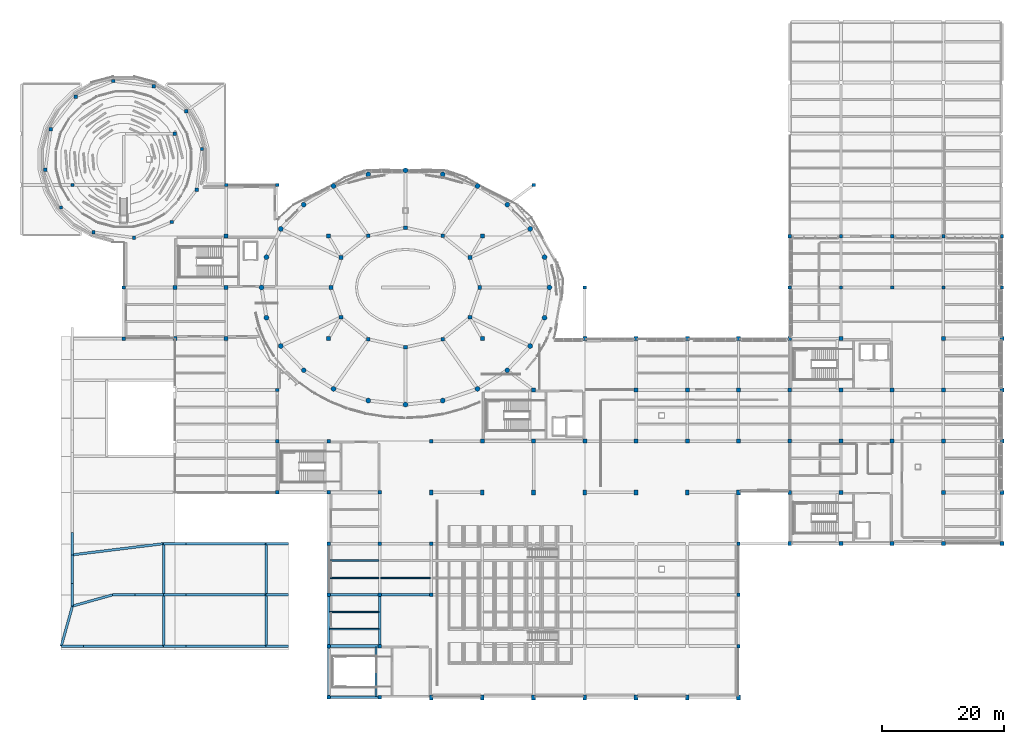
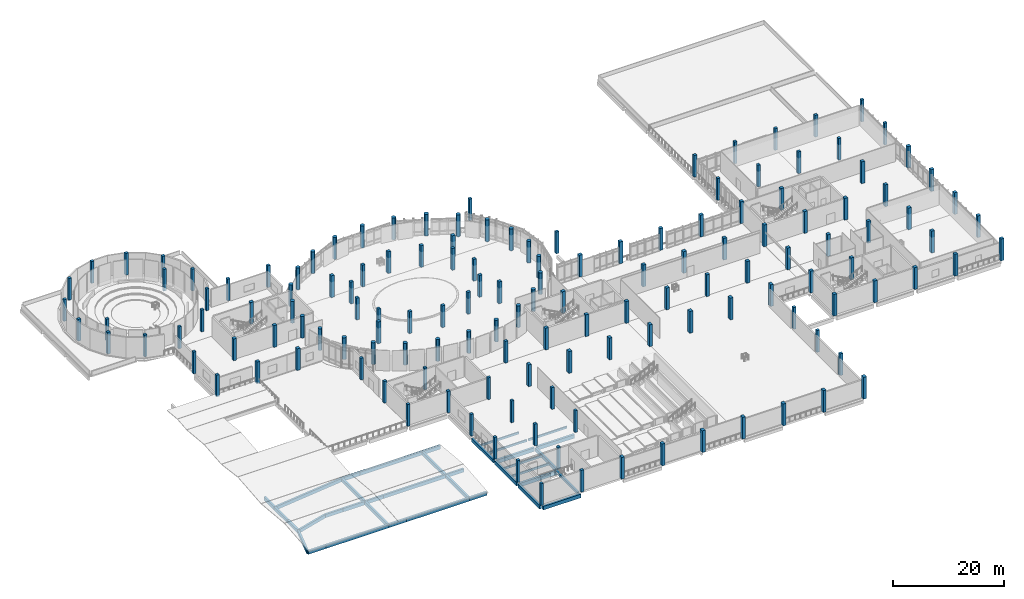
# One storey, part 1 of 63: 146 columns, 37 beams.
"""IFC4 building model written with IfcOpenShell, lengths in metres."""

from ifc_helpers import new_model, si_unit, derived_unit, direction, frame, origin, origin_2d, place, context, subcontext, project, spatial, rectangle, circle, extrude, material, material_profile, profile_set, type_object, element, save


model = new_model("IFC4")

# Units and contexts
model_context = context("Model", 3, precision=1e-05, world=origin(), true_north=direction((0.0, 1.0)))
body_context = subcontext(model_context, "Body", "Model", "MODEL_VIEW")
ifc_project = project(units=[si_unit("LENGTHUNIT", "METRE"), si_unit("AREAUNIT", "SQUARE_METRE"), si_unit("VOLUMEUNIT", "CUBIC_METRE"), si_unit("PLANEANGLEUNIT", "RADIAN"), si_unit("MASSUNIT", "GRAM", prefix="KILO"), derived_unit("THERMALTRANSMITTANCEUNIT", [(si_unit("POWERUNIT", "WATT"), 1), (si_unit("LENGTHUNIT", "METRE"), -2), (si_unit("THERMODYNAMICTEMPERATUREUNIT", "KELVIN"), -1)])], contexts=[model_context])

# Site, building, storey
site_placement = place(None, origin())
site = spatial("IfcSite", under=ifc_project, at=site_placement, CompositionType="ELEMENT")
building_placement = place(site_placement, origin())
building = spatial("IfcBuilding", under=site, at=building_placement, Name="Elbkamm Science Centre", CompositionType="ELEMENT")
storey_placement = place(building_placement, frame((0.0, 0.0, 5.10009765625)))
storey = spatial("IfcBuildingStorey", under=building, at=storey_placement, Name="L01", CompositionType="ELEMENT", Elevation=5.10009765625)

# Columns
ifc_material_1 = material(Name="Concrete C40/50", Category="concrete")
ifc_material_profile_1 = material_profile(ifc_material_1, rectangle(XDim=0.550048828125, YDim=0.550048828125, at=origin_2d()), Name="RC 550x550")
ifc_profile_set_1 = profile_set([ifc_material_profile_1], Name="Concrete C40/50")
column_type_1 = type_object("IfcColumnType", Name="COL-RC-550", PredefinedType="COLUMN", material=ifc_profile_set_1)
for number, where, z_axis, x_axis, name in (
    (1, (29.638916015625, 89.889892578125, 0.0), (0.0, 0.0, 1.0), (1.0, 0.0, 0.0), "L01 Column DRUM-01"),
    (2, (27.073974609375, 96.0830078125, 0.0), (0.0, 0.0, 1.0), (1.0, 0.0, 0.0), "L01 Column DRUM-02"),
    (3, (21.756103515625, 100.1640625, 0.0), (0.0, 0.0, 1.0), (1.0, 0.0, 0.0), "L01 Column DRUM-03"),
    (4, (15.110107421875, 101.0390625, 0.0), (0.0, 0.0, 1.0), (1.0, 0.0, 0.0), "L01 Column DRUM-04"),
    (5, (8.9169921875, 98.47412109375, 0.0), (0.0, 0.0, 1.0), (1.0, 0.0, 0.0), "L01 Column DRUM-05"),
    (6, (4.8359375, 93.156005859375, 0.0), (0.0, 0.0, 1.0), (1.0, 0.0, 0.0), "L01 Column DRUM-06"),
    (7, (3.9609375, 86.510009765625, 0.0), (0.0, 0.0, 1.0), (1.0, 0.0, 0.0), "L01 Column DRUM-07"),
    (8, (6.52587890625, 80.31689453125, 0.0), (0.0, 0.0, 1.0), (1.0, 0.0, 0.0), "L01 Column DRUM-08"),
    (9, (11.843994140625, 76.236083984375, 0.0), (0.0, 0.0, 1.0), (1.0, 0.0, 0.0), "L01 Column DRUM-09"),
    (10, (18.489990234375, 75.361083984375, 0.0), (0.0, 0.0, 1.0), (1.0, 0.0, 0.0), "L01 Column DRUM-10"),
    (11, (24.68310546875, 77.926025390625, 0.0), (0.0, 0.0, 1.0), (1.0, 0.0, 0.0), "L01 Column DRUM-11"),
    (12, (28.763916015625, 83.243896484375, 0.0), (0.0, 0.0, 1.0), (1.0, 0.0, 0.0), "L01 Column DRUM-12"),
    (13, (8.39990234375, 84.0, 0.0), (0.0, 0.0, 1.0), (1.0, 0.0, 0.0), "L01 Column GRID-2-L"),
    (14, (16.800048828125, 58.800048828125, 0.0), (0.0, 0.0, 1.0), (1.0, 0.0, 0.0), "L01 Column GRID-3-H"),
    (15, (16.800048828125, 67.199951171875, 0.0), (0.0, 0.0, 1.0), (1.0, 0.0, 0.0), "L01 Column GRID-3-J"),
    (16, (25.199951171875, 92.39990234375, 0.0), (0.0, 0.0, 1.0), (1.0, 0.0, 0.0), "L01 Column GRID-4-M"),
    (17, (33.60009765625, 84.0, 0.0), (0.0, 0.0, 1.0), (1.0, 0.0, 0.0), "L01 Column GRID-5-L"),
    (18, (42.0, 33.60009765625, 0.0), (0.0, 0.0, 1.0), (1.0, 0.0, 0.0), "L01 Column GRID-6-E"),
    (19, (42.0, 42.0, 0.0), (0.0, 0.0, 1.0), (1.0, 0.0, 0.0), "L01 Column GRID-6-F"),
    (20, (42.0, 50.39990234375, 0.0), (0.0, 0.0, 1.0), (1.0, 0.0, 0.0), "L01 Column GRID-6-G"),
    (21, (42.0, 84.0, 0.0), (0.0, 0.0, 1.0), (1.0, 0.0, 0.0), "L01 Column GRID-6-L"),
    (22, (50.39990234375, 0.0, 0.0), (0.0, 0.0, 1.0), (1.0, 0.0, 0.0), "L01 Column GRID-7-A"),
    (23, (50.39990234375, 8.39990234375, 0.0), (0.0, 0.0, 1.0), (1.0, 0.0, 0.0), "L01 Column GRID-7-B"),
    (24, (50.39990234375, 16.800048828125, 0.0), (0.0, 0.0, 1.0), (1.0, 0.0, 0.0), "L01 Column GRID-7-C"),
    (25, (50.39990234375, 25.199951171875, 0.0), (0.0, 0.0, 1.0), (1.0, 0.0, 0.0), "L01 Column GRID-7-D"),
    (26, (50.39990234375, 33.60009765625, 0.0), (0.0, 0.0, 1.0), (1.0, 0.0, 0.0), "L01 Column GRID-7-E"),
    (27, (50.39990234375, 42.0, 0.0), (0.0, 0.0, 1.0), (1.0, 0.0, 0.0), "L01 Column GRID-7-F"),
    (28, (58.800048828125, 0.0, 0.0), (0.0, 0.0, 1.0), (1.0, 0.0, 0.0), "L01 Column GRID-8-A"),
    (29, (58.800048828125, 8.39990234375, 0.0), (0.0, 0.0, 1.0), (1.0, 0.0, 0.0), "L01 Column GRID-8-B"),
    (30, (58.800048828125, 16.800048828125, 0.0), (0.0, 0.0, 1.0), (1.0, 0.0, 0.0), "L01 Column GRID-8-C"),
    (31, (58.800048828125, 25.199951171875, 0.0), (0.0, 0.0, 1.0), (1.0, 0.0, 0.0), "L01 Column GRID-8-D"),
    (32, (58.800048828125, 33.60009765625, 0.0), (0.0, 0.0, 1.0), (1.0, 0.0, 0.0), "L01 Column GRID-8-E"),
    (33, (67.199951171875, 16.800048828125, 0.0), (0.0, 0.0, 1.0), (1.0, 0.0, 0.0), "L01 Column GRID-9-C"),
    (34, (67.199951171875, 25.199951171875, 0.0), (0.0, 0.0, 1.0), (1.0, 0.0, 0.0), "L01 Column GRID-9-D"),
    (35, (67.199951171875, 42.0, 0.0), (0.0, 0.0, 1.0), (1.0, 0.0, 0.0), "L01 Column GRID-9-F"),
    (36, (84.0, 84.0, 0.0), (0.0, 0.0, 1.0), (1.0, 0.0, 0.0), "L01 Column GRID-11-L"),
    (37, (92.39990234375, 67.199951171875, 0.0), (0.0, 0.0, 1.0), (1.0, 0.0, 0.0), "L01 Column GRID-12-J"),
    (38, (117.60009765625, 8.39990234375, 0.0), (0.0, 0.0, 1.0), (1.0, 0.0, 0.0), "L01 Column GRID-15-B"),
    (39, (117.60009765625, 16.800048828125, 0.0), (0.0, 0.0, 1.0), (1.0, 0.0, 0.0), "L01 Column GRID-15-C"),
    (40, (117.60009765625, 25.199951171875, 0.0), (0.0, 0.0, 1.0), (1.0, 0.0, 0.0), "L01 Column GRID-15-D"),
    (41, (126.0, 67.199951171875, 0.0), (0.0, 0.0, 1.0), (1.0, 0.0, 0.0), "L01 Column GRID-16-J"),
    (42, (126.0, 75.60009765625, 0.0), (0.0, 0.0, 1.0), (1.0, 0.0, 0.0), "L01 Column GRID-16-K"),
    (43, (134.39990234375, 67.199951171875, 0.0), (0.0, 0.0, 1.0), (1.0, 0.0, 0.0), "L01 Column GRID-17-J"),
    (44, (134.39990234375, 75.60009765625, 0.0), (0.0, 0.0, 1.0), (1.0, 0.0, 0.0), "L01 Column GRID-17-K"),
    (45, (142.800048828125, 67.199951171875, 0.0), (0.0, 0.0, 1.0), (1.0, 0.0, 0.0), "L01 Column GRID-18-J"),
    (46, (142.800048828125, 75.60009765625, 0.0), (0.0, 0.0, 1.0), (1.0, 0.0, 0.0), "L01 Column GRID-18-K"),
    (47, (151.199951171875, 67.199951171875, 0.0), (0.0, 0.0, 1.0), (1.0, 0.0, 0.0), "L01 Column GRID-19-J"),
    (48, (151.199951171875, 75.60009765625, 0.0), (0.0, 0.0, 1.0), (1.0, 0.0, 0.0), "L01 Column GRID-19-K"),
    (49, (160.800048828125, 67.199951171875, 0.0), (0.0, 0.0, 1.0), (1.0, 0.0, 0.0), "L01 Column GRID-20-J"),
    (50, (160.800048828125, 75.60009765625, 0.0), (0.0, 0.0, 1.0), (1.0, 0.0, 0.0), "L01 Column GRID-20-K"),
):
    element("IfcColumn", number, at=place(storey_placement, frame(where, z_axis=z_axis, x_axis=x_axis)), inside=storey, type_object=column_type_1, Name=name, PredefinedType="COLUMN", context=body_context, shape_type="SweptSolid", body=[
        extrude(rectangle(XDim=0.550048828125, YDim=0.550048828125, at=origin_2d()), origin(), (0.0, 0.0, 1.0), 4.7998046875),
    ])
ifc_material_profile_2 = material_profile(ifc_material_1, rectangle(XDim=0.60009765625, YDim=0.60009765625, at=origin_2d()), Name="RC 600x600")
ifc_profile_set_2 = profile_set([ifc_material_profile_2], Name="Concrete C40/50")
column_type_2 = type_object("IfcColumnType", Name="COL-RC-600", PredefinedType="COLUMN", material=ifc_profile_set_2)
for number, where, z_axis, x_axis, name in (
    (51, (75.199951171875, 67.199951171875, 0.0), (0.0, 0.0, 1.0), (1.0, 0.0, 0.0), "L01 Column SH-IN-01"),
    (52, (73.56591796875, 72.10009765625, 0.0), (0.0, 0.0, 1.0), (1.0, 0.0, 0.0), "L01 Column SH-IN-02"),
    (53, (69.10009765625, 75.68701171875, 0.0), (0.0, 0.0, 1.0), (1.0, 0.0, 0.0), "L01 Column SH-IN-03"),
    (54, (63.0, 77.0, 0.0), (0.0, 0.0, 1.0), (1.0, 0.0, 0.0), "L01 Column SH-IN-04"),
    (55, (56.89990234375, 75.68701171875, 0.0), (0.0, 0.0, 1.0), (1.0, 0.0, 0.0), "L01 Column SH-IN-05"),
    (56, (52.43408203125, 72.10009765625, 0.0), (0.0, 0.0, 1.0), (1.0, 0.0, 0.0), "L01 Column SH-IN-06"),
    (57, (50.800048828125, 67.199951171875, 0.0), (0.0, 0.0, 1.0), (1.0, 0.0, 0.0), "L01 Column SH-IN-07"),
    (58, (52.43408203125, 62.300048828125, 0.0), (0.0, 0.0, 1.0), (1.0, 0.0, 0.0), "L01 Column SH-IN-08"),
    (59, (56.89990234375, 58.712890625, 0.0), (0.0, 0.0, 1.0), (1.0, 0.0, 0.0), "L01 Column SH-IN-09"),
    (60, (63.0, 57.39990234375, 0.0), (0.0, 0.0, 1.0), (1.0, 0.0, 0.0), "L01 Column SH-IN-10"),
    (61, (69.10009765625, 58.712890625, 0.0), (0.0, 0.0, 1.0), (1.0, 0.0, 0.0), "L01 Column SH-IN-11"),
    (62, (73.56591796875, 62.300048828125, 0.0), (0.0, 0.0, 1.0), (1.0, 0.0, 0.0), "L01 Column SH-IN-12"),
):
    element("IfcColumn", number, at=place(storey_placement, frame(where, z_axis=z_axis, x_axis=x_axis)), inside=storey, type_object=column_type_2, Name=name, PredefinedType="COLUMN", context=body_context, shape_type="SweptSolid", body=[
        extrude(rectangle(XDim=0.60009765625, YDim=0.60009765625, at=origin_2d()), origin(), (0.0, 0.0, 1.0), 4.7998046875),
    ])
ifc_material_profile_3 = material_profile(ifc_material_1, rectangle(XDim=0.60009765625, YDim=0.800048828125, at=origin_2d()), Name="RC 600x800")
ifc_profile_set_3 = profile_set([ifc_material_profile_3], Name="Concrete C40/50")
column_type_3 = type_object("IfcColumnType", Name="COL-RC-600x800", PredefinedType="COLUMN", material=ifc_profile_set_3)
for number, where, z_axis, x_axis, name in (
    (63, (67.199951171875, 0.0, 0.0), (0.0, 0.0, 1.0), (1.0, 0.0, 0.0), "L01 Column TH-PIER-S01"),
    (64, (67.199951171875, 33.60009765625, 0.0), (0.0, 0.0, 1.0), (1.0, 0.0, 0.0), "L01 Column TH-PIER-N01"),
    (65, (75.60009765625, 0.0, 0.0), (0.0, 0.0, 1.0), (1.0, 0.0, 0.0), "L01 Column TH-PIER-S02"),
    (66, (75.60009765625, 33.60009765625, 0.0), (0.0, 0.0, 1.0), (1.0, 0.0, 0.0), "L01 Column TH-PIER-N02"),
    (67, (84.0, 0.0, 0.0), (0.0, 0.0, 1.0), (1.0, 0.0, 0.0), "L01 Column TH-PIER-S03"),
    (68, (84.0, 33.60009765625, 0.0), (0.0, 0.0, 1.0), (1.0, 0.0, 0.0), "L01 Column TH-PIER-N03"),
    (69, (92.39990234375, 0.0, 0.0), (0.0, 0.0, 1.0), (1.0, 0.0, 0.0), "L01 Column TH-PIER-S04"),
    (70, (92.39990234375, 33.60009765625, 0.0), (0.0, 0.0, 1.0), (1.0, 0.0, 0.0), "L01 Column TH-PIER-N04"),
    (71, (100.800048828125, 0.0, 0.0), (0.0, 0.0, 1.0), (1.0, 0.0, 0.0), "L01 Column TH-PIER-S05"),
    (72, (100.800048828125, 33.60009765625, 0.0), (0.0, 0.0, 1.0), (1.0, 0.0, 0.0), "L01 Column TH-PIER-N05"),
    (73, (109.199951171875, 0.0, 0.0), (0.0, 0.0, 1.0), (1.0, 0.0, 0.0), "L01 Column TH-PIER-S06"),
    (74, (109.199951171875, 33.60009765625, 0.0), (0.0, 0.0, 1.0), (1.0, 0.0, 0.0), "L01 Column TH-PIER-N06"),
    (75, (117.60009765625, 0.0, 0.0), (0.0, 0.0, 1.0), (1.0, 0.0, 0.0), "L01 Column TH-PIER-S07"),
    (76, (117.60009765625, 33.60009765625, 0.0), (0.0, 0.0, 1.0), (1.0, 0.0, 0.0), "L01 Column TH-PIER-N07"),
):
    element("IfcColumn", number, at=place(storey_placement, frame(where, z_axis=z_axis, x_axis=x_axis)), inside=storey, type_object=column_type_3, Name=name, PredefinedType="COLUMN", context=body_context, shape_type="SweptSolid", body=[
        extrude(rectangle(XDim=0.60009765625, YDim=0.800048828125, at=origin_2d()), origin(), (0.0, 0.0, 1.0), 4.7998046875),
    ])
ifc_material_profile_4 = material_profile(ifc_material_1, rectangle(XDim=0.64990234375, YDim=0.64990234375, at=origin_2d()), Name="RC 650x650")
ifc_profile_set_4 = profile_set([ifc_material_profile_4], Name="Concrete C40/50")
column_type_4 = type_object("IfcColumnType", Name="COL-RC-650", PredefinedType="COLUMN", material=ifc_profile_set_4)
for number, where, z_axis, x_axis, name in (
    (77, (25.199951171875, 58.800048828125, 0.0), (0.0, 0.0, 1.0), (1.0, 0.0, 0.0), "L01 Column GRID-4-H"),
    (78, (25.199951171875, 67.199951171875, 0.0), (0.0, 0.0, 1.0), (1.0, 0.0, 0.0), "L01 Column GRID-4-J"),
    (79, (33.60009765625, 58.800048828125, 0.0), (0.0, 0.0, 1.0), (1.0, 0.0, 0.0), "L01 Column GRID-5-H"),
    (80, (33.60009765625, 67.199951171875, 0.0), (0.0, 0.0, 1.0), (1.0, 0.0, 0.0), "L01 Column GRID-5-J"),
    (81, (33.60009765625, 75.60009765625, 0.0), (0.0, 0.0, 1.0), (1.0, 0.0, 0.0), "L01 Column GRID-5-K"),
    (82, (50.39990234375, 58.800048828125, 0.0), (0.0, 0.0, 1.0), (1.0, 0.0, 0.0), "L01 Column GRID-7-H"),
    (83, (50.39990234375, 75.60009765625, 0.0), (0.0, 0.0, 1.0), (1.0, 0.0, 0.0), "L01 Column GRID-7-K"),
    (84, (75.60009765625, 42.0, 0.0), (0.0, 0.0, 1.0), (1.0, 0.0, 0.0), "L01 Column GRID-10-F"),
    (85, (75.60009765625, 58.800048828125, 0.0), (0.0, 0.0, 1.0), (1.0, 0.0, 0.0), "L01 Column GRID-10-H"),
    (86, (75.60009765625, 75.60009765625, 0.0), (0.0, 0.0, 1.0), (1.0, 0.0, 0.0), "L01 Column GRID-10-K"),
    (87, (84.0, 42.0, 0.0), (0.0, 0.0, 1.0), (1.0, 0.0, 0.0), "L01 Column GRID-11-F"),
    (88, (84.0, 50.39990234375, 0.0), (0.0, 0.0, 1.0), (1.0, 0.0, 0.0), "L01 Column GRID-11-G"),
    (89, (92.39990234375, 42.0, 0.0), (0.0, 0.0, 1.0), (1.0, 0.0, 0.0), "L01 Column GRID-12-F"),
    (90, (92.39990234375, 58.800048828125, 0.0), (0.0, 0.0, 1.0), (1.0, 0.0, 0.0), "L01 Column GRID-12-H"),
    (91, (100.800048828125, 42.0, 0.0), (0.0, 0.0, 1.0), (1.0, 0.0, 0.0), "L01 Column GRID-13-F"),
    (92, (100.800048828125, 50.39990234375, 0.0), (0.0, 0.0, 1.0), (1.0, 0.0, 0.0), "L01 Column GRID-13-G"),
    (93, (100.800048828125, 58.800048828125, 0.0), (0.0, 0.0, 1.0), (1.0, 0.0, 0.0), "L01 Column GRID-13-H"),
    (94, (109.199951171875, 42.0, 0.0), (0.0, 0.0, 1.0), (1.0, 0.0, 0.0), "L01 Column GRID-14-F"),
    (95, (109.199951171875, 50.39990234375, 0.0), (0.0, 0.0, 1.0), (1.0, 0.0, 0.0), "L01 Column GRID-14-G"),
    (96, (109.199951171875, 58.800048828125, 0.0), (0.0, 0.0, 1.0), (1.0, 0.0, 0.0), "L01 Column GRID-14-H"),
    (97, (117.60009765625, 42.0, 0.0), (0.0, 0.0, 1.0), (1.0, 0.0, 0.0), "L01 Column GRID-15-F"),
    (98, (117.60009765625, 50.39990234375, 0.0), (0.0, 0.0, 1.0), (1.0, 0.0, 0.0), "L01 Column GRID-15-G"),
    (99, (117.60009765625, 58.800048828125, 0.0), (0.0, 0.0, 1.0), (1.0, 0.0, 0.0), "L01 Column GRID-15-H"),
    (100, (126.0, 25.199951171875, 0.0), (0.0, 0.0, 1.0), (1.0, 0.0, 0.0), "L01 Column GRID-16-D"),
    (101, (126.0, 33.60009765625, 0.0), (0.0, 0.0, 1.0), (1.0, 0.0, 0.0), "L01 Column GRID-16-E"),
    (102, (126.0, 42.0, 0.0), (0.0, 0.0, 1.0), (1.0, 0.0, 0.0), "L01 Column GRID-16-F"),
    (103, (126.0, 50.39990234375, 0.0), (0.0, 0.0, 1.0), (1.0, 0.0, 0.0), "L01 Column GRID-16-G"),
    (104, (126.0, 58.800048828125, 0.0), (0.0, 0.0, 1.0), (1.0, 0.0, 0.0), "L01 Column GRID-16-H"),
    (105, (134.39990234375, 25.199951171875, 0.0), (0.0, 0.0, 1.0), (1.0, 0.0, 0.0), "L01 Column GRID-17-D"),
    (106, (134.39990234375, 33.60009765625, 0.0), (0.0, 0.0, 1.0), (1.0, 0.0, 0.0), "L01 Column GRID-17-E"),
    (107, (134.39990234375, 42.0, 0.0), (0.0, 0.0, 1.0), (1.0, 0.0, 0.0), "L01 Column GRID-17-F"),
    (108, (134.39990234375, 50.39990234375, 0.0), (0.0, 0.0, 1.0), (1.0, 0.0, 0.0), "L01 Column GRID-17-G"),
    (109, (134.39990234375, 58.800048828125, 0.0), (0.0, 0.0, 1.0), (1.0, 0.0, 0.0), "L01 Column GRID-17-H"),
    (110, (142.800048828125, 25.199951171875, 0.0), (0.0, 0.0, 1.0), (1.0, 0.0, 0.0), "L01 Column GRID-18-D"),
    (111, (142.800048828125, 42.0, 0.0), (0.0, 0.0, 1.0), (1.0, 0.0, 0.0), "L01 Column GRID-18-F"),
    (112, (142.800048828125, 50.39990234375, 0.0), (0.0, 0.0, 1.0), (1.0, 0.0, 0.0), "L01 Column GRID-18-G"),
    (113, (151.199951171875, 25.199951171875, 0.0), (0.0, 0.0, 1.0), (1.0, 0.0, 0.0), "L01 Column GRID-19-D"),
    (114, (151.199951171875, 33.60009765625, 0.0), (0.0, 0.0, 1.0), (1.0, 0.0, 0.0), "L01 Column GRID-19-E"),
    (115, (151.199951171875, 42.0, 0.0), (0.0, 0.0, 1.0), (1.0, 0.0, 0.0), "L01 Column GRID-19-F"),
    (116, (151.199951171875, 50.39990234375, 0.0), (0.0, 0.0, 1.0), (1.0, 0.0, 0.0), "L01 Column GRID-19-G"),
    (117, (151.199951171875, 58.800048828125, 0.0), (0.0, 0.0, 1.0), (1.0, 0.0, 0.0), "L01 Column GRID-19-H"),
    (118, (160.800048828125, 25.199951171875, 0.0), (0.0, 0.0, 1.0), (1.0, 0.0, 0.0), "L01 Column GRID-20-D"),
    (119, (160.800048828125, 33.60009765625, 0.0), (0.0, 0.0, 1.0), (1.0, 0.0, 0.0), "L01 Column GRID-20-E"),
    (120, (160.800048828125, 42.0, 0.0), (0.0, 0.0, 1.0), (1.0, 0.0, 0.0), "L01 Column GRID-20-F"),
    (121, (160.800048828125, 50.39990234375, 0.0), (0.0, 0.0, 1.0), (1.0, 0.0, 0.0), "L01 Column GRID-20-G"),
    (122, (160.800048828125, 58.800048828125, 0.0), (0.0, 0.0, 1.0), (1.0, 0.0, 0.0), "L01 Column GRID-20-H"),
):
    element("IfcColumn", number, at=place(storey_placement, frame(where, z_axis=z_axis, x_axis=x_axis)), inside=storey, type_object=column_type_4, Name=name, PredefinedType="COLUMN", context=body_context, shape_type="SweptSolid", body=[
        extrude(rectangle(XDim=0.64990234375, YDim=0.64990234375, at=origin_2d()), origin(), (0.0, 0.0, 1.0), 4.7998046875),
    ])
ifc_material_2 = material(Name="Concrete C45/55", Category="concrete")
ifc_material_profile_5 = material_profile(ifc_material_2, circle(Radius=0.39990234375, at=origin_2d()), Name="RC D800")
ifc_profile_set_5 = profile_set([ifc_material_profile_5], Name="Concrete C45/55")
column_type_5 = type_object("IfcColumnType", Name="COL-RC-D800", PredefinedType="COLUMN", material=ifc_profile_set_5)
for number, where, z_axis, x_axis, name in (
    (123, (86.60009765625, 67.199951171875, 0.0), (0.0, 0.0, 1.0), (1.0, 0.0, 0.0), "L01 Column SH-OUT-01"),
    (124, (85.7958984375, 72.1689453125, 0.0), (0.0, 0.0, 1.0), (1.0, 0.0, 0.0), "L01 Column SH-OUT-02"),
    (125, (83.43798828125, 76.800048828125, 0.0), (0.0, 0.0, 1.0), (1.0, 0.0, 0.0), "L01 Column SH-OUT-03"),
    (126, (79.68798828125, 80.77587890625, 0.0), (0.0, 0.0, 1.0), (1.0, 0.0, 0.0), "L01 Column SH-OUT-04"),
    (127, (74.800048828125, 83.827880859375, 0.0), (0.0, 0.0, 1.0), (1.0, 0.0, 0.0), "L01 Column SH-OUT-05"),
    (128, (69.10791015625, 85.74609375, 0.0), (0.0, 0.0, 1.0), (1.0, 0.0, 0.0), "L01 Column SH-OUT-06"),
    (129, (63.0, 86.39990234375, 0.0), (0.0, 0.0, 1.0), (1.0, 0.0, 0.0), "L01 Column SH-OUT-07"),
    (130, (56.89208984375, 85.74609375, 0.0), (0.0, 0.0, 1.0), (1.0, 0.0, 0.0), "L01 Column SH-OUT-08"),
    (131, (51.199951171875, 83.827880859375, 0.0), (0.0, 0.0, 1.0), (1.0, 0.0, 0.0), "L01 Column SH-OUT-09"),
    (132, (46.31201171875, 80.77587890625, 0.0), (0.0, 0.0, 1.0), (1.0, 0.0, 0.0), "L01 Column SH-OUT-10"),
    (133, (42.56201171875, 76.800048828125, 0.0), (0.0, 0.0, 1.0), (1.0, 0.0, 0.0), "L01 Column SH-OUT-11"),
    (134, (40.2041015625, 72.1689453125, 0.0), (0.0, 0.0, 1.0), (1.0, 0.0, 0.0), "L01 Column SH-OUT-12"),
    (135, (39.39990234375, 67.199951171875, 0.0), (0.0, 0.0, 1.0), (1.0, 0.0, 0.0), "L01 Column SH-OUT-13"),
    (136, (40.2041015625, 62.23095703125, 0.0), (0.0, 0.0, 1.0), (1.0, 0.0, 0.0), "L01 Column SH-OUT-14"),
    (137, (42.56201171875, 57.60009765625, 0.0), (0.0, 0.0, 1.0), (1.0, 0.0, 0.0), "L01 Column SH-OUT-15"),
    (138, (46.31201171875, 53.6240234375, 0.0), (0.0, 0.0, 1.0), (1.0, 0.0, 0.0), "L01 Column SH-OUT-16"),
    (139, (51.199951171875, 50.572021484375, 0.0), (0.0, 0.0, 1.0), (1.0, 0.0, 0.0), "L01 Column SH-OUT-17"),
    (140, (56.89208984375, 48.654052734375, 0.0), (0.0, 0.0, 1.0), (1.0, 0.0, 0.0), "L01 Column SH-OUT-18"),
    (141, (63.0, 48.0, 0.0), (0.0, 0.0, 1.0), (1.0, 0.0, 0.0), "L01 Column SH-OUT-19"),
    (142, (69.10791015625, 48.654052734375, 0.0), (0.0, 0.0, 1.0), (1.0, 0.0, 0.0), "L01 Column SH-OUT-20"),
    (143, (74.800048828125, 50.572021484375, 0.0), (0.0, 0.0, 1.0), (1.0, 0.0, 0.0), "L01 Column SH-OUT-21"),
    (144, (79.68798828125, 53.6240234375, 0.0), (0.0, 0.0, 1.0), (1.0, 0.0, 0.0), "L01 Column SH-OUT-22"),
    (145, (83.43798828125, 57.60009765625, 0.0), (0.0, 0.0, 1.0), (1.0, 0.0, 0.0), "L01 Column SH-OUT-23"),
    (146, (85.7958984375, 62.23095703125, 0.0), (0.0, 0.0, 1.0), (1.0, 0.0, 0.0), "L01 Column SH-OUT-24"),
):
    element("IfcColumn", number, at=place(storey_placement, frame(where, z_axis=z_axis, x_axis=x_axis)), inside=storey, type_object=column_type_5, Name=name, PredefinedType="COLUMN", context=body_context, shape_type="SweptSolid", body=[
        extrude(circle(Radius=0.39990234375, at=origin_2d()), origin(), (0.0, 0.0, 1.0), 4.7998046875),
    ])

# Beams
ifc_material_profile_6 = material_profile(ifc_material_1, rectangle(XDim=0.35009765625, YDim=0.60009765625, at=origin_2d()), Name="RC 350x600")
ifc_profile_set_6 = profile_set([ifc_material_profile_6], Name="Concrete C40/50")
beam_type_1 = type_object("IfcBeamType", Name="BM-RC-350x600", PredefinedType="BEAM", material=ifc_profile_set_6)
beam_1_placement = place(storey_placement, frame((58.179931640625, 0.14990234375, -0.300048828125), z_axis=(0.0, 1.0, 0.0), x_axis=(-1.0, 0.0, 0.0)))
element("IfcBeam", 147, at=beam_1_placement, inside=storey, type_object=beam_type_1, Name="L01 ST-C6 Landing Trimmer Beam", PredefinedType="BEAM", context=body_context, shape_type="SweptSolid", body=[
    extrude(rectangle(XDim=0.35009765625, YDim=0.60009765625, at=origin_2d()), origin(), (0.0, 0.0, 1.0), 8.10009765625),
])
ifc_material_profile_7 = material_profile(ifc_material_1, rectangle(XDim=0.39990234375, YDim=0.75, at=origin_2d()), Name="RC 400x750")
ifc_profile_set_7 = profile_set([ifc_material_profile_7], Name="Concrete C40/50")
beam_type_2 = type_object("IfcBeamType", Name="BM-RC-400x750", PredefinedType="BEAM", material=ifc_profile_set_7)
for number, where, z_axis, x_axis, name in (
    (148, (50.39990234375, 0.300048828125, -0.775146484375), (0.0, 1.0, 0.0), (-1.0, 0.0, 0.0), "L01 Primary Y-Girder 014"),
    (149, (50.39990234375, 8.699951171875, -0.775146484375), (0.0, 1.0, 0.0), (-1.0, 0.0, 0.0), "L01 Primary Y-Girder 015"),
):
    element("IfcBeam", number, at=place(storey_placement, frame(where, z_axis=z_axis, x_axis=x_axis)), inside=storey, type_object=beam_type_2, Name=name, PredefinedType="BEAM", context=body_context, shape_type="SweptSolid", body=[
        extrude(rectangle(XDim=0.39990234375, YDim=0.75, at=origin_2d()), origin(), (0.0, 0.0, 1.0), 7.800048828125),
    ])
beam_2_placement = place(storey_placement, frame((50.39990234375, 17.10009765625, -0.775146484375), z_axis=(0.0, 1.0, 0.0), x_axis=(-1.0, 0.0, 0.0)))
element("IfcBeam", 150, at=beam_2_placement, inside=storey, type_object=beam_type_2, Name="L01 Primary Y-Girder 016", PredefinedType="BEAM", context=body_context, shape_type="SweptSolid", body=[
    extrude(rectangle(XDim=0.39990234375, YDim=0.75, at=origin_2d()), origin(), (0.0, 0.0, 1.0), 7.7998046875),
])
beam_3_placement = place(storey_placement, frame((58.800048828125, 8.699951171875, -0.775146484375), z_axis=(0.0, 1.0, 0.0), x_axis=(-1.0, 0.0, 0.0)))
element("IfcBeam", 151, at=beam_3_placement, inside=storey, type_object=beam_type_2, Name="L01 Primary Y-Girder 018", PredefinedType="BEAM", context=body_context, shape_type="SweptSolid", body=[
    extrude(rectangle(XDim=0.39990234375, YDim=0.75, at=origin_2d()), origin(), (0.0, 0.0, 1.0), 7.800048828125),
])
ifc_material_profile_8 = material_profile(ifc_material_1, rectangle(XDim=0.449951171875, YDim=0.800048828125, at=origin_2d()), Name="RC 450x800")
ifc_profile_set_8 = profile_set([ifc_material_profile_8], Name="Concrete C40/50")
beam_type_3 = type_object("IfcBeamType", Name="BM-RC-450x800", PredefinedType="BEAM", material=ifc_profile_set_8)
for number, where, z_axis, x_axis, name in (
    (152, (50.699951171875, 0.0, -0.800048828125), (1.0, 0.0, 0.0), (0.0, 1.0, 0.0), "L01 Primary X-Girder 001"),
    (153, (50.699951171875, 8.39990234375, -0.800048828125), (1.0, 0.0, 0.0), (0.0, 1.0, 0.0), "L01 Primary X-Girder 002"),
    (154, (50.699951171875, 16.800048828125, -0.800048828125), (1.0, 0.0, 0.0), (0.0, 1.0, 0.0), "L01 Primary X-Girder 008"),
):
    element("IfcBeam", number, at=place(storey_placement, frame(where, z_axis=z_axis, x_axis=x_axis)), inside=storey, type_object=beam_type_3, Name=name, PredefinedType="BEAM", context=body_context, shape_type="SweptSolid", body=[
        extrude(rectangle(XDim=0.449951171875, YDim=0.800048828125, at=origin_2d()), origin(), (0.0, 0.0, 1.0), 7.800048828125),
    ])
beam_4_placement = place(storey_placement, frame((59.10009765625, 16.800048828125, -0.800048828125), z_axis=(1.0, 0.0, 0.0), x_axis=(0.0, 1.0, 0.0)))
element("IfcBeam", 155, at=beam_4_placement, inside=storey, type_object=beam_type_3, Name="L01 Primary X-Girder 009", PredefinedType="BEAM", context=body_context, shape_type="SweptSolid", body=[
    extrude(rectangle(XDim=0.449951171875, YDim=0.800048828125, at=origin_2d()), origin(), (0.0, 0.0, 1.0), 7.7998046875),
])
ifc_material_profile_9 = material_profile(ifc_material_1, rectangle(XDim=0.25, YDim=0.449951171875, at=origin_2d()), Name="RC 250x450")
ifc_profile_set_9 = profile_set([ifc_material_profile_9], Name="Concrete C40/50")
beam_type_4 = type_object("IfcBeamType", Name="JST-RC-250x450", PredefinedType="JOIST", material=ifc_profile_set_9)
for number, where, z_axis, x_axis, name in (
    (156, (50.580078125, 11.199951171875, -0.625), (1.0, 0.0, 0.0), (0.0, 1.0, 0.0), "L01 Secondary Floor Joist 015"),
    (157, (50.580078125, 14.0, -0.625), (1.0, 0.0, 0.0), (0.0, 1.0, 0.0), "L01 Secondary Floor Joist 016"),
    (158, (50.580078125, 19.60009765625, -0.625), (1.0, 0.0, 0.0), (0.0, 1.0, 0.0), "L01 Secondary Floor Joist 017"),
    (159, (50.580078125, 22.39990234375, -0.625), (1.0, 0.0, 0.0), (0.0, 1.0, 0.0), "L01 Secondary Floor Joist 018"),
    (160, (58.97998046875, 19.60009765625, -0.625), (1.0, 0.0, 0.0), (0.0, 1.0, 0.0), "L01 Secondary Floor Joist 021"),
):
    element("IfcBeam", number, at=place(storey_placement, frame(where, z_axis=z_axis, x_axis=x_axis)), inside=storey, type_object=beam_type_4, Name=name, PredefinedType="JOIST", context=body_context, shape_type="SweptSolid", body=[
        extrude(rectangle(XDim=0.25, YDim=0.449951171875, at=origin_2d()), origin(), (0.0, 0.0, 1.0), 8.0400390625),
    ])
ifc_material_3 = material(Name="White architectural concrete C45/55", Category="concrete")
ifc_material_profile_10 = material_profile(ifc_material_3, rectangle(XDim=0.39990234375, YDim=0.75, at=origin_2d()), Name="RC 400x750")
ifc_profile_set_10 = profile_set([ifc_material_profile_10], Name="White architectural concrete C45/55")
beam_type_5 = type_object("IfcBeamType", Name="SP-RC-400x750", PredefinedType="SPANDREL", material=ifc_profile_set_10)
for number, where, z_axis, x_axis, name in (
    (161, (6.56689453125, 8.39990234375, -0.255126953125), (1.0, 0.0, 0.0), (0.0, 1.0, 0.0), "Marquise V-Piloti Cap Beam 01"),
    (162, (23.366943359375, 8.39990234375, -0.255126953125), (1.0, 0.0, 0.0), (0.0, 1.0, 0.0), "Marquise V-Piloti Cap Beam 02"),
    (163, (40.1669921875, 8.39990234375, -0.255126953125), (1.0, 0.0, 0.0), (0.0, 1.0, 0.0), "Marquise V-Piloti Cap Beam 03"),
    (164, (8.39990234375, 14.967041015625, -0.255126953125), (0.0, 1.0, 0.0), (-1.0, 0.0, 0.0), "Marquise V-Piloti Cap Beam 04"),
    (165, (23.366943359375, 16.800048828125, -0.255126953125), (1.0, 0.0, 0.0), (0.0, 1.0, 0.0), "Marquise V-Piloti Cap Beam 05"),
    (166, (40.1669921875, 16.800048828125, -0.255126953125), (1.0, 0.0, 0.0), (0.0, 1.0, 0.0), "Marquise V-Piloti Cap Beam 06"),
    (167, (8.39990234375, 23.366943359375, -0.255126953125), (0.0, 1.0, 0.0), (-1.0, 0.0, 0.0), "Marquise V-Piloti Cap Beam 07"),
    (168, (23.366943359375, 25.199951171875, -0.255126953125), (1.0, 0.0, 0.0), (0.0, 1.0, 0.0), "Marquise V-Piloti Cap Beam 10"),
    (169, (40.1669921875, 25.199951171875, -0.255126953125), (1.0, 0.0, 0.0), (0.0, 1.0, 0.0), "Marquise V-Piloti Cap Beam 11"),
    (170, (14.967041015625, 16.800048828125, -0.255126953125), (1.0, 0.0, 0.0), (0.0, 1.0, 0.0), "Marquise V-Piloti Cap Beam 12"),
):
    element("IfcBeam", number, at=place(storey_placement, frame(where, z_axis=z_axis, x_axis=x_axis)), inside=storey, type_object=beam_type_5, Name=name, PredefinedType="SPANDREL", context=body_context, shape_type="SweptSolid", body=[
        extrude(rectangle(XDim=0.39990234375, YDim=0.75, at=origin_2d()), origin(), (0.0, 0.0, 1.0), 3.666015625),
    ])
for number, where, z_axis, x_axis, name in (
    (171, (10.23291015625, 8.39990234375, -0.255126953125), (1.0, 0.0, 0.0), (0.0, 1.0, 0.0), "Marquise Canopy Spine Girder 01"),
    (172, (27.032958984375, 8.39990234375, -0.255126953125), (1.0, 0.0, 0.0), (0.0, 1.0, 0.0), "Marquise Canopy Spine Girder 02"),
):
    element("IfcBeam", number, at=place(storey_placement, frame(where, z_axis=z_axis, x_axis=x_axis)), inside=storey, type_object=beam_type_5, Name=name, PredefinedType="SPANDREL", context=body_context, shape_type="SweptSolid", body=[
        extrude(rectangle(XDim=0.39990234375, YDim=0.75, at=origin_2d()), origin(), (0.0, 0.0, 1.0), 13.134033203125),
    ])
beam_5_placement = place(storey_placement, frame((8.39990234375, 14.967041015625, -0.255126953125), z_axis=(0.963184226806, 0.268842231119, 0.0), x_axis=(-0.268842231119, 0.963184226806, 0.0)))
element("IfcBeam", 173, at=beam_5_placement, inside=storey, type_object=beam_type_5, Name="Marquise Canopy Spine Girder 03", PredefinedType="SPANDREL", context=body_context, shape_type="SweptSolid", body=[
    extrude(rectangle(XDim=0.39990234375, YDim=0.75, at=origin_2d()), origin(), (0.0, 0.0, 1.0), 6.818115234375),
])
beam_6_placement = place(storey_placement, frame((18.633056640625, 16.800048828125, -0.255126953125), z_axis=(1.0, 0.0, 0.0), x_axis=(0.0, 1.0, 0.0)))
element("IfcBeam", 174, at=beam_6_placement, inside=storey, type_object=beam_type_5, Name="Marquise Canopy Spine Girder 04", PredefinedType="SPANDREL", context=body_context, shape_type="SweptSolid", body=[
    extrude(rectangle(XDim=0.39990234375, YDim=0.75, at=origin_2d()), origin(), (0.0, 0.0, 1.0), 4.73388671875),
])
beam_7_placement = place(storey_placement, frame((27.032958984375, 16.800048828125, -0.255126953125), z_axis=(1.0, 0.0, 0.0), x_axis=(0.0, 1.0, 0.0)))
element("IfcBeam", 175, at=beam_7_placement, inside=storey, type_object=beam_type_5, Name="Marquise Canopy Spine Girder 05", PredefinedType="SPANDREL", context=body_context, shape_type="SweptSolid", body=[
    extrude(rectangle(XDim=0.39990234375, YDim=0.75, at=origin_2d()), origin(), (0.0, 0.0, 1.0), 13.134033203125),
])
beam_8_placement = place(storey_placement, frame((8.39990234375, 23.366943359375, -0.255126953125), z_axis=(0.992583917001, 0.121561374257, 0.0), x_axis=(-0.121561374257, 0.992583917001, 0.0)))
element("IfcBeam", 176, at=beam_8_placement, inside=storey, type_object=beam_type_5, Name="Marquise Canopy Spine Girder 06", PredefinedType="SPANDREL", context=body_context, shape_type="SweptSolid", body=[
    extrude(rectangle(XDim=0.39990234375, YDim=0.75, at=origin_2d()), origin(), (0.0, 0.0, 1.0), 15.078857421875),
])
beam_9_placement = place(storey_placement, frame((27.032958984375, 25.199951171875, -0.255126953125), z_axis=(1.0, 0.0, 0.0), x_axis=(0.0, 1.0, 0.0)))
element("IfcBeam", 177, at=beam_9_placement, inside=storey, type_object=beam_type_5, Name="Marquise Canopy Spine Girder 07", PredefinedType="SPANDREL", context=body_context, shape_type="SweptSolid", body=[
    extrude(rectangle(XDim=0.39990234375, YDim=0.75, at=origin_2d()), origin(), (0.0, 0.0, 1.0), 13.134033203125),
])
beam_10_placement = place(storey_placement, frame((6.56689453125, 8.39990234375, -0.255126953125), z_axis=(0.268842231119, 0.963184226806, 0.0), x_axis=(-0.963184226806, 0.268842231119, 0.0)))
element("IfcBeam", 178, at=beam_10_placement, inside=storey, type_object=beam_type_5, Name="Marquise Canopy Spine Girder 08", PredefinedType="SPANDREL", context=body_context, shape_type="SweptSolid", body=[
    extrude(rectangle(XDim=0.39990234375, YDim=0.75, at=origin_2d()), origin(), (0.0, 0.0, 1.0), 6.818115234375),
])
beam_11_placement = place(storey_placement, frame((8.39990234375, 18.633056640625, -0.255126953125), z_axis=(0.0, 1.0, 0.0), x_axis=(-1.0, 0.0, 0.0)))
element("IfcBeam", 179, at=beam_11_placement, inside=storey, type_object=beam_type_5, Name="Marquise Canopy Spine Girder 09", PredefinedType="SPANDREL", context=body_context, shape_type="SweptSolid", body=[
    extrude(rectangle(XDim=0.39990234375, YDim=0.75, at=origin_2d()), origin(), (0.0, 0.0, 1.0), 4.73388671875),
])
beam_12_placement = place(storey_placement, frame((23.366943359375, 8.39990234375, -0.255126953125), z_axis=(0.0, 1.0, 0.0), x_axis=(-1.0, 0.0, 0.0)))
element("IfcBeam", 180, at=beam_12_placement, inside=storey, type_object=beam_type_5, Name="Marquise Canopy Spine Girder 12", PredefinedType="SPANDREL", context=body_context, shape_type="SweptSolid", body=[
    extrude(rectangle(XDim=0.39990234375, YDim=0.75, at=origin_2d()), origin(), (0.0, 0.0, 1.0), 8.400146484375),
])
beam_13_placement = place(storey_placement, frame((23.366943359375, 16.800048828125, -0.255126953125), z_axis=(0.0, 1.0, 0.0), x_axis=(-1.0, 0.0, 0.0)))
element("IfcBeam", 181, at=beam_13_placement, inside=storey, type_object=beam_type_5, Name="Marquise Canopy Spine Girder 13", PredefinedType="SPANDREL", context=body_context, shape_type="SweptSolid", body=[
    extrude(rectangle(XDim=0.39990234375, YDim=0.75, at=origin_2d()), origin(), (0.0, 0.0, 1.0), 8.39990234375),
])
beam_14_placement = place(storey_placement, frame((40.1669921875, 8.39990234375, -0.255126953125), z_axis=(0.0, 1.0, 0.0), x_axis=(-1.0, 0.0, 0.0)))
element("IfcBeam", 182, at=beam_14_placement, inside=storey, type_object=beam_type_5, Name="Marquise Canopy Spine Girder 14", PredefinedType="SPANDREL", context=body_context, shape_type="SweptSolid", body=[
    extrude(rectangle(XDim=0.39990234375, YDim=0.75, at=origin_2d()), origin(), (0.0, 0.0, 1.0), 8.400146484375),
])
beam_15_placement = place(storey_placement, frame((40.1669921875, 16.800048828125, -0.255126953125), z_axis=(0.0, 1.0, 0.0), x_axis=(-1.0, 0.0, 0.0)))
element("IfcBeam", 183, at=beam_15_placement, inside=storey, type_object=beam_type_5, Name="Marquise Canopy Spine Girder 15", PredefinedType="SPANDREL", context=body_context, shape_type="SweptSolid", body=[
    extrude(rectangle(XDim=0.39990234375, YDim=0.75, at=origin_2d()), origin(), (0.0, 0.0, 1.0), 8.39990234375),
])

save(model, "model.ifc")
